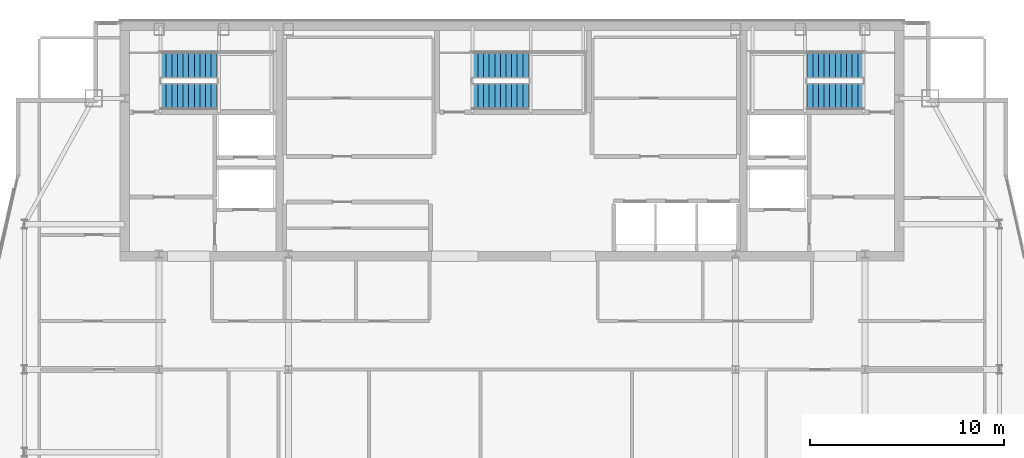
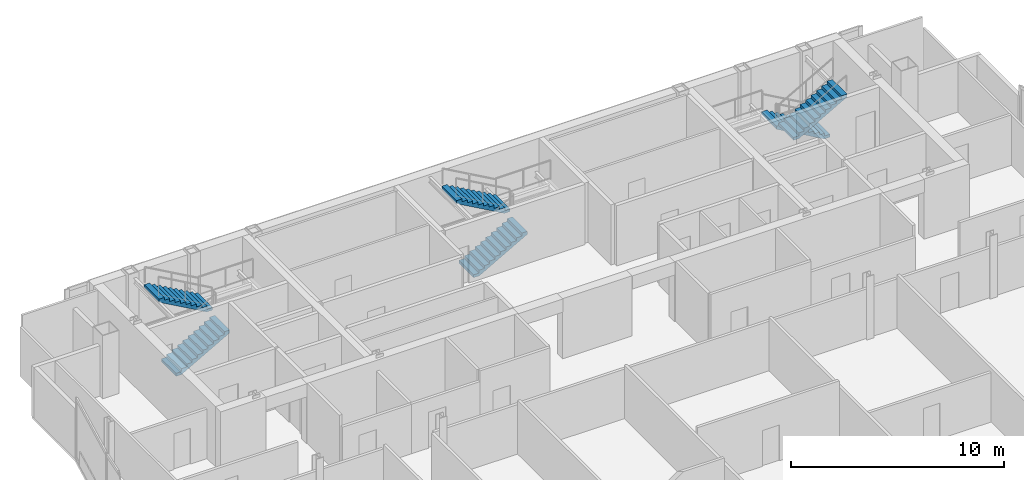
# One storey, part 27 of 29: 6 stair flights, 3 elements without a shape of their own.
"""IFC4 building model written with IfcOpenShell, lengths in metres."""

from ifc_helpers import new_model, si_unit, direction, frame, origin, place, context, subcontext, project, spatial, polyline, outline, extrude, material, type_object, element, aggregate, save


model = new_model("IFC4")

# Units and contexts
model_context = context("Model", 3, precision=1e-05, world=origin(), true_north=direction((0.0, 1.0)))
body_context = subcontext(model_context, "Body", "Model", "MODEL_VIEW")
ifc_project = project(units=[si_unit("LENGTHUNIT", "METRE"), si_unit("AREAUNIT", "SQUARE_METRE"), si_unit("VOLUMEUNIT", "CUBIC_METRE"), si_unit("PLANEANGLEUNIT", "RADIAN"), si_unit("MASSUNIT", "GRAM", prefix="KILO")], contexts=[model_context])

# Site, building, storey
site_placement = place(None, origin())
site = spatial("IfcSite", under=ifc_project, at=site_placement, CompositionType="ELEMENT")
building_placement = place(site_placement, origin())
building = spatial("IfcBuilding", under=site, at=building_placement, Name="Khoronbel Lancet Exchange", CompositionType="ELEMENT")
storey_placement = place(building_placement, frame((0.0, 0.0, 318.199951171875)))
storey = spatial("IfcBuildingStorey", under=building, at=storey_placement, Name="L82", CompositionType="ELEMENT", Elevation=318.199951171875)

# Stair, stair flights
ifc_material = material(Name="Concrete C40/50", Category="concrete")
stair_type = type_object("IfcStairType", Name="STR-CORE150", PredefinedType="HALF_TURN_STAIR", material=ifc_material)
stair_1_placement = place(storey_placement, origin())
stair_1 = element("IfcStair", 1, at=stair_1_placement, inside=storey, type_object=stair_type, Name="L82 Protected Exit Stair ST1", PredefinedType="HALF_TURN_STAIR")
stair_flight_type = type_object("IfcStairFlightType", Name="STF-150", PredefinedType="STRAIGHT", material=ifc_material)
stair_flight_1_placement = place(storey_placement, frame((18.300048828125, 49.81005859375, 0.0), z_axis=(0.0, 0.0, 1.0), x_axis=(1.0, 0.0, 0.0)))
stair_flight_1 = element("IfcStairFlight", 2, at=stair_flight_1_placement, type_object=stair_flight_type, Name="ST1 flight 1", NumberOfRisers=11, NumberOfTreads=10, PredefinedType="STRAIGHT", RiserHeight=0.163636364, TreadLength=0.29, context=body_context, shape_type="SweptSolid", body=[
    extrude(outline(polyline([(0.0, 0.0), (0.0, 0.16357421875), (0.2900390625, 0.16357421875), (0.2900390625, 0.327392578125), (0.580078125, 0.327392578125), (0.580078125, 0.490966796875), (0.8701171875, 0.490966796875), (0.8701171875, 0.654541015625), (1.159912109375, 0.654541015625), (1.159912109375, 0.818115234375), (1.449951171875, 0.818115234375), (1.449951171875, 0.98193359375), (1.739990234375, 0.98193359375), (1.739990234375, 1.1455078125), (2.030029296875, 1.1455078125), (2.030029296875, 1.30908203125), (2.320068359375, 1.30908203125), (2.320068359375, 1.47265625), (2.610107421875, 1.47265625), (2.610107421875, 1.636474609375), (2.89990234375, 1.636474609375), (2.89990234375, 1.800048828125), (2.89990234375, 1.46435546875), (0.304931640625, 0.0), (0.0, 0.0)])), frame((0.0, 0.68994140625, 0.0), z_axis=(0.0, -1.0, 0.0), x_axis=(1.0, 0.0, 0.0)), (0.0, 0.0, 1.0), 1.3798828125),
])
stair_flight_2_placement = place(storey_placement, frame((21.199951171875, 51.409912109375, 1.800048828125), z_axis=(0.0, 0.0, 1.0), x_axis=(-1.0, 0.0, 0.0)))
stair_flight_2 = element("IfcStairFlight", 3, at=stair_flight_2_placement, type_object=stair_flight_type, Name="ST1 flight 2", NumberOfRisers=11, NumberOfTreads=10, PredefinedType="STRAIGHT", RiserHeight=0.163636364, TreadLength=0.29, context=body_context, shape_type="SweptSolid", body=[
    extrude(outline(polyline([(0.0, 0.0), (0.0, 0.16357421875), (0.2900390625, 0.16357421875), (0.2900390625, 0.327392578125), (0.580078125, 0.327392578125), (0.580078125, 0.490966796875), (0.8701171875, 0.490966796875), (0.8701171875, 0.654541015625), (1.159912109375, 0.654541015625), (1.159912109375, 0.818115234375), (1.449951171875, 0.818115234375), (1.449951171875, 0.98193359375), (1.739990234375, 0.98193359375), (1.739990234375, 1.1455078125), (2.030029296875, 1.1455078125), (2.030029296875, 1.30908203125), (2.320068359375, 1.30908203125), (2.320068359375, 1.47265625), (2.610107421875, 1.47265625), (2.610107421875, 1.636474609375), (2.89990234375, 1.636474609375), (2.89990234375, 1.800048828125), (2.89990234375, 1.46435546875), (0.304931640625, 0.0), (0.0, 0.0)])), frame((0.0, 0.68994140625, 0.0), z_axis=(0.0, -1.0, 0.0), x_axis=(1.0, 0.0, 0.0)), (0.0, 0.0, 1.0), 1.3798828125),
])
aggregate(stair_1, [stair_flight_1, stair_flight_2])

stair_2_placement = place(storey_placement, origin())
stair_2 = element("IfcStair", 4, at=stair_2_placement, inside=storey, type_object=stair_type, Name="L82 Protected Exit Stair ST2", PredefinedType="HALF_TURN_STAIR")
stair_flight_3_placement = place(storey_placement, frame((54.60009765625, 51.409912109375, 0.0), z_axis=(0.0, 0.0, 1.0), x_axis=(-1.0, 0.0, 0.0)))
stair_flight_3 = element("IfcStairFlight", 5, at=stair_flight_3_placement, type_object=stair_flight_type, Name="ST2 flight 1", NumberOfRisers=11, NumberOfTreads=10, PredefinedType="STRAIGHT", RiserHeight=0.163636364, TreadLength=0.29, context=body_context, shape_type="SweptSolid", body=[
    extrude(outline(polyline([(0.0, 0.0), (0.0, 0.16357421875), (0.2900390625, 0.16357421875), (0.2900390625, 0.327392578125), (0.580078125, 0.327392578125), (0.580078125, 0.490966796875), (0.8701171875, 0.490966796875), (0.8701171875, 0.654541015625), (1.159912109375, 0.654541015625), (1.159912109375, 0.818115234375), (1.449951171875, 0.818115234375), (1.449951171875, 0.98193359375), (1.739990234375, 0.98193359375), (1.739990234375, 1.1455078125), (2.030029296875, 1.1455078125), (2.030029296875, 1.30908203125), (2.320068359375, 1.30908203125), (2.320068359375, 1.47265625), (2.610107421875, 1.47265625), (2.610107421875, 1.636474609375), (2.89990234375, 1.636474609375), (2.89990234375, 1.800048828125), (2.89990234375, 1.46435546875), (0.304931640625, 0.0), (0.0, 0.0)])), frame((0.0, 0.68994140625, 0.0), z_axis=(0.0, -1.0, 0.0), x_axis=(1.0, 0.0, 0.0)), (0.0, 0.0, 1.0), 1.3798828125),
])
stair_flight_4_placement = place(storey_placement, frame((51.699951171875, 49.81005859375, 1.800048828125), z_axis=(0.0, 0.0, 1.0), x_axis=(1.0, 0.0, 0.0)))
stair_flight_4 = element("IfcStairFlight", 6, at=stair_flight_4_placement, type_object=stair_flight_type, Name="ST2 flight 2", NumberOfRisers=11, NumberOfTreads=10, PredefinedType="STRAIGHT", RiserHeight=0.163636364, TreadLength=0.29, context=body_context, shape_type="SweptSolid", body=[
    extrude(outline(polyline([(0.0, 0.0), (0.0, 0.16357421875), (0.2900390625, 0.16357421875), (0.2900390625, 0.327392578125), (0.580078125, 0.327392578125), (0.580078125, 0.490966796875), (0.8701171875, 0.490966796875), (0.8701171875, 0.654541015625), (1.159912109375, 0.654541015625), (1.159912109375, 0.818115234375), (1.449951171875, 0.818115234375), (1.449951171875, 0.98193359375), (1.739990234375, 0.98193359375), (1.739990234375, 1.1455078125), (2.030029296875, 1.1455078125), (2.030029296875, 1.30908203125), (2.320068359375, 1.30908203125), (2.320068359375, 1.47265625), (2.610107421875, 1.47265625), (2.610107421875, 1.636474609375), (2.89990234375, 1.636474609375), (2.89990234375, 1.800048828125), (2.89990234375, 1.46435546875), (0.304931640625, 0.0), (0.0, 0.0)])), frame((0.0, 0.68994140625, 0.0), z_axis=(0.0, -1.0, 0.0), x_axis=(1.0, 0.0, 0.0)), (0.0, 0.0, 1.0), 1.3798828125),
])
aggregate(stair_2, [stair_flight_3, stair_flight_4])

stair_3_placement = place(storey_placement, origin())
stair_3 = element("IfcStair", 7, at=stair_3_placement, inside=storey, type_object=stair_type, Name="L82 Protected Exit Stair ST3", PredefinedType="HALF_TURN_STAIR")
stair_flight_5_placement = place(storey_placement, frame((34.39990234375, 49.81005859375, 0.0), z_axis=(0.0, 0.0, 1.0), x_axis=(1.0, 0.0, 0.0)))
stair_flight_5 = element("IfcStairFlight", 8, at=stair_flight_5_placement, type_object=stair_flight_type, Name="ST3 flight 1", NumberOfRisers=11, NumberOfTreads=10, PredefinedType="STRAIGHT", RiserHeight=0.163636364, TreadLength=0.29, context=body_context, shape_type="SweptSolid", body=[
    extrude(outline(polyline([(0.0, 0.0), (0.0, 0.16357421875), (0.2900390625, 0.16357421875), (0.2900390625, 0.327392578125), (0.580078125, 0.327392578125), (0.580078125, 0.490966796875), (0.8701171875, 0.490966796875), (0.8701171875, 0.654541015625), (1.159912109375, 0.654541015625), (1.159912109375, 0.818115234375), (1.449951171875, 0.818115234375), (1.449951171875, 0.98193359375), (1.739990234375, 0.98193359375), (1.739990234375, 1.1455078125), (2.030029296875, 1.1455078125), (2.030029296875, 1.30908203125), (2.320068359375, 1.30908203125), (2.320068359375, 1.47265625), (2.610107421875, 1.47265625), (2.610107421875, 1.636474609375), (2.89990234375, 1.636474609375), (2.89990234375, 1.800048828125), (2.89990234375, 1.46435546875), (0.304931640625, 0.0), (0.0, 0.0)])), frame((0.0, 0.68994140625, 0.0), z_axis=(0.0, -1.0, 0.0), x_axis=(1.0, 0.0, 0.0)), (0.0, 0.0, 1.0), 1.3798828125),
])
stair_flight_6_placement = place(storey_placement, frame((37.300048828125, 51.409912109375, 1.800048828125), z_axis=(0.0, 0.0, 1.0), x_axis=(-1.0, 0.0, 0.0)))
stair_flight_6 = element("IfcStairFlight", 9, at=stair_flight_6_placement, type_object=stair_flight_type, Name="ST3 flight 2", NumberOfRisers=11, NumberOfTreads=10, PredefinedType="STRAIGHT", RiserHeight=0.163636364, TreadLength=0.29, context=body_context, shape_type="SweptSolid", body=[
    extrude(outline(polyline([(0.0, 0.0), (0.0, 0.16357421875), (0.2900390625, 0.16357421875), (0.2900390625, 0.327392578125), (0.580078125, 0.327392578125), (0.580078125, 0.490966796875), (0.8701171875, 0.490966796875), (0.8701171875, 0.654541015625), (1.159912109375, 0.654541015625), (1.159912109375, 0.818115234375), (1.449951171875, 0.818115234375), (1.449951171875, 0.98193359375), (1.739990234375, 0.98193359375), (1.739990234375, 1.1455078125), (2.030029296875, 1.1455078125), (2.030029296875, 1.30908203125), (2.320068359375, 1.30908203125), (2.320068359375, 1.47265625), (2.610107421875, 1.47265625), (2.610107421875, 1.636474609375), (2.89990234375, 1.636474609375), (2.89990234375, 1.800048828125), (2.89990234375, 1.46435546875), (0.304931640625, 0.0), (0.0, 0.0)])), frame((0.0, 0.68994140625, 0.0), z_axis=(0.0, -1.0, 0.0), x_axis=(1.0, 0.0, 0.0)), (0.0, 0.0, 1.0), 1.3798828125),
])
aggregate(stair_3, [stair_flight_5, stair_flight_6])

save(model, "model.ifc")
